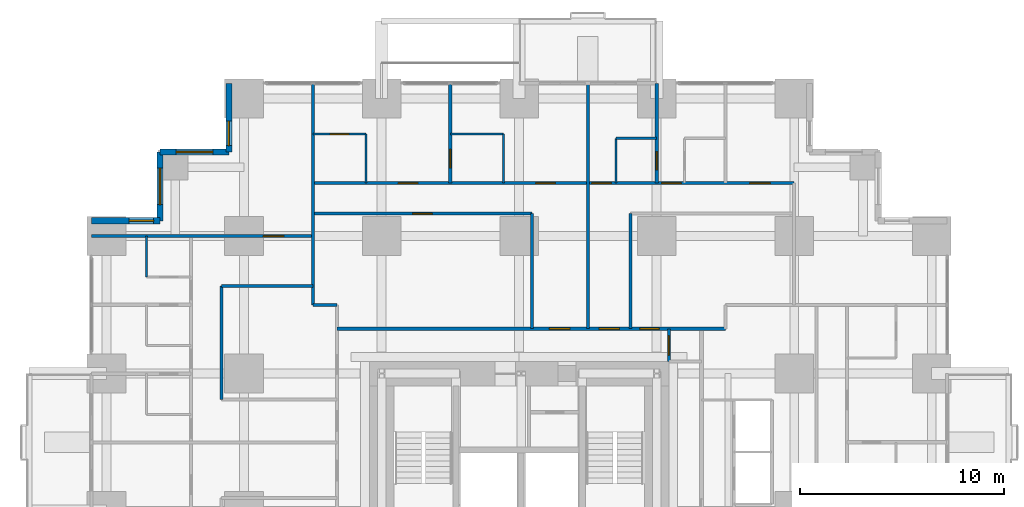
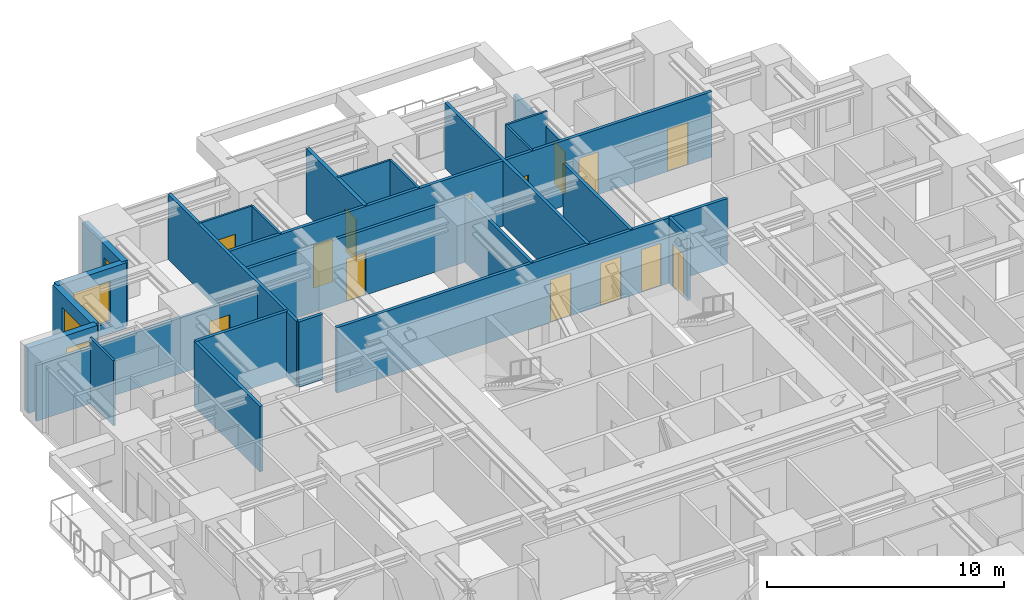
# One storey, part 12 of 14: 25 walls, 14 doors, 4 windows, 18 openings.
"""IFC4 building model written with IfcOpenShell, lengths in metres."""

from ifc_helpers import new_model, si_unit, direction, frame, frame_2d, origin, place, context, subcontext, project, spatial, rectangle, extrude, material, layer, layer_set, type_object, element, fill, save


model = new_model("IFC4")

# Units and contexts
model_context = context("Model", 3, precision=1e-05, world=origin(), true_north=direction((0.0, 1.0)))
body_context = subcontext(model_context, "Body", "Model", "MODEL_VIEW")
ifc_project = project(units=[si_unit("LENGTHUNIT", "METRE"), si_unit("AREAUNIT", "SQUARE_METRE"), si_unit("VOLUMEUNIT", "CUBIC_METRE"), si_unit("PLANEANGLEUNIT", "RADIAN"), si_unit("MASSUNIT", "GRAM", prefix="KILO")], contexts=[model_context])

# Site, building, storey
site_placement = place(None, origin())
site = spatial("IfcSite", under=ifc_project, at=site_placement, CompositionType="ELEMENT")
building_placement = place(site_placement, origin())
building = spatial("IfcBuilding", under=site, at=building_placement, Name="Nyansa Garden Tower", CompositionType="ELEMENT")
storey_placement = place(building_placement, frame((0.0, 0.0, 43.199951171875)))
storey = spatial("IfcBuildingStorey", under=building, at=storey_placement, Name="L11", CompositionType="ELEMENT", Elevation=43.199951171875)

# Wall, opening, door
ifc_material_1 = material(Name="Dense blockwork, plastered both sides, 55 dB", Category="masonry")
ifc_layer_1 = layer(ifc_material_1, 0.175048828125)
ifc_layer_set_1 = layer_set([ifc_layer_1], Name="Acoustic party wall PW175")
wall_type_1 = type_object("IfcWallType", Name="Acoustic party wall PW175", PredefinedType="PARTITIONING", material=ifc_layer_set_1)
wall_1_placement = place(storey_placement, frame((16.875, 36.35009765625, 0.0), z_axis=(0.0, 0.0, 1.0), x_axis=(0.0, 1.0, 0.0)))
wall_1 = element("IfcWall", 1, at=wall_1_placement, inside=storey, type_object=wall_type_1, Name="Party wall", PredefinedType="PARTITIONING", context=body_context, shape_type="SweptSolid", body=[
    extrude(rectangle(XDim=4.8837890625, YDim=0.175048828125, at=frame_2d((2.44189453125, 0.0))), origin(), (0.0, 0.0, 1.0), 3.375),
])
opening_1_placement = place(wall_1_placement, frame((0.75, 0.0, 0.0)))
opening_1 = element("IfcOpeningElement", 2, at=opening_1_placement, cuts=wall_1, Name="Opening D02", PredefinedType="OPENING", context=body_context, shape_type="SweptSolid", body=[
    extrude(rectangle(XDim=0.89990234375, YDim=2.199951171875, at=frame_2d((0.449951171875, 1.10009765625))), frame((0.0, 0.097412109375, 0.0), z_axis=(0.0, -1.0, 0.0), x_axis=(1.0, 0.0, 0.0)), (0.0, 0.0, 1.0), 0.195068359375),
])
ifc_material_2 = material(Name="Timber flush door", Category="wood")
door_type_1 = type_object("IfcDoorType", Name="En-suite door D02 900x2200", OperationType="SINGLE_SWING_RIGHT", PredefinedType="DOOR", material=ifc_material_2)
door_1_placement = place(opening_1_placement, origin())
door_1 = element("IfcDoor", 3, at=door_1_placement, inside=storey, type_object=door_type_1, Name="Door L11-057", OperationType="SINGLE_SWING_RIGHT", OverallHeight=2.199951171875, OverallWidth=0.89990234375, PredefinedType="DOOR", context=body_context, shape_type="SweptSolid", body=[
    extrude(rectangle(XDim=0.89990234375, YDim=2.199951171875, at=frame_2d((0.449951171875, 1.10009765625))), frame((0.0, 0.02490234375, 0.0), z_axis=(0.0, -1.0, 0.0), x_axis=(1.0, 0.0, 0.0)), (0.0, 0.0, 1.0), 0.050048828125),
])
fill(opening_1, door_1)

wall_2_placement = place(storey_placement, frame((27.0, 36.35009765625, 0.0), z_axis=(0.0, 0.0, 1.0), x_axis=(0.0, 1.0, 0.0)))
wall_2 = element("IfcWall", 4, at=wall_2_placement, inside=storey, type_object=wall_type_1, Name="Party wall", PredefinedType="PARTITIONING", context=body_context, shape_type="SweptSolid", body=[
    extrude(rectangle(XDim=4.8837890625, YDim=0.175048828125, at=frame_2d((2.44189453125, 0.0))), origin(), (0.0, 0.0, 1.0), 2.610107421875),
])
opening_2_placement = place(wall_2_placement, frame((0.64990234375, 0.0, 0.0)))
opening_2 = element("IfcOpeningElement", 5, at=opening_2_placement, cuts=wall_2, Name="Opening D02", PredefinedType="OPENING", context=body_context, shape_type="SweptSolid", body=[
    extrude(rectangle(XDim=0.89990234375, YDim=2.199951171875, at=frame_2d((0.449951171875, 1.10009765625))), frame((0.0, 0.097412109375, 0.0), z_axis=(0.0, -1.0, 0.0), x_axis=(1.0, 0.0, 0.0)), (0.0, 0.0, 1.0), 0.195068359375),
])
door_2_placement = place(opening_2_placement, origin())
door_2 = element("IfcDoor", 6, at=door_2_placement, inside=storey, type_object=door_type_1, Name="Door L11-052", OperationType="SINGLE_SWING_RIGHT", OverallHeight=2.199951171875, OverallWidth=0.89990234375, PredefinedType="DOOR", context=body_context, shape_type="SweptSolid", body=[
    extrude(rectangle(XDim=0.89990234375, YDim=2.199951171875, at=frame_2d((0.449951171875, 1.10009765625))), frame((0.0, 0.02490234375, 0.0), z_axis=(0.0, -1.0, 0.0), x_axis=(1.0, 0.0, 0.0)), (0.0, 0.0, 1.0), 0.050048828125),
])
fill(opening_2, door_2)

ifc_material_3 = material(Name="Blockwork, plastered both sides", Category="masonry")
ifc_layer_2 = layer(ifc_material_3, 0.14990234375)
ifc_layer_set_2 = layer_set([ifc_layer_2], Name="Partition PW150")
wall_type_2 = type_object("IfcWallType", Name="Partition PW150", PredefinedType="PARTITIONING", material=ifc_layer_set_2)
wall_3_placement = place(storey_placement, frame((-0.73388671875, 33.75, 0.0), z_axis=(0.0, 0.0, 1.0), x_axis=(1.0, 0.0, 0.0)))
wall_3 = element("IfcWall", 7, at=wall_3_placement, inside=storey, type_object=wall_type_2, Name="Partition", PredefinedType="PARTITIONING", context=body_context, shape_type="SweptSolid", body=[
    extrude(rectangle(XDim=10.85888671875, YDim=0.14990234375, at=frame_2d((5.429443359375, 0.0))), origin(), (0.0, 0.0, 1.0), 2.876953125),
])
opening_3_placement = place(wall_3_placement, frame((8.43408203125, 0.0, 0.0)))
opening_3 = element("IfcOpeningElement", 8, at=opening_3_placement, cuts=wall_3, Name="Opening D03", PredefinedType="OPENING", context=body_context, shape_type="SweptSolid", body=[
    extrude(rectangle(XDim=1.0, YDim=2.199951171875, at=frame_2d((0.5, 1.10009765625))), frame((0.0, 0.0849609375, 0.0), z_axis=(0.0, -1.0, 0.0), x_axis=(1.0, 0.0, 0.0)), (0.0, 0.0, 1.0), 0.169921875),
])
ifc_material_4 = material(Name="Timber flush door, 60 minute fire resisting", Category="wood")
door_type_2 = type_object("IfcDoorType", Name="Cluster entrance door D03 1000x2200", OperationType="SINGLE_SWING_LEFT", PredefinedType="DOOR", material=ifc_material_4)
door_3_placement = place(opening_3_placement, origin())
door_3 = element("IfcDoor", 9, at=door_3_placement, inside=storey, type_object=door_type_2, Name="Door L11-061", OperationType="SINGLE_SWING_LEFT", OverallHeight=2.199951171875, OverallWidth=1.0, PredefinedType="DOOR", context=body_context, shape_type="SweptSolid", body=[
    extrude(rectangle(XDim=1.0, YDim=2.199951171875, at=frame_2d((0.5, 1.10009765625))), frame((0.0, 0.02490234375, 0.0), z_axis=(0.0, -1.0, 0.0), x_axis=(1.0, 0.0, 0.0)), (0.0, 0.0, 1.0), 0.050048828125),
])
fill(opening_3, door_3)

# Walls
wall_4_placement = place(storey_placement, frame((5.64990234375, 25.72509765625, 0.0), z_axis=(0.0, 0.0, 1.0), x_axis=(0.0, 1.0, 0.0)))
element("IfcWall", 10, at=wall_4_placement, inside=storey, type_object=wall_type_2, Name="Partition", PredefinedType="PARTITIONING", context=body_context, shape_type="SweptSolid", body=[
    extrude(rectangle(XDim=5.574951171875, YDim=0.14990234375, at=frame_2d((2.78759765625, 0.0))), origin(), (0.0, 0.0, 1.0), 3.375),
])
wall_5_placement = place(storey_placement, frame((5.64990234375, 31.300048828125, 0.0), z_axis=(0.0, 0.0, 1.0), x_axis=(1.0, 0.0, 0.0)))
element("IfcWall", 11, at=wall_5_placement, inside=storey, type_object=wall_type_2, Name="Partition", PredefinedType="PARTITIONING", context=body_context, shape_type="SweptSolid", body=[
    extrude(rectangle(XDim=4.47509765625, YDim=0.14990234375, at=frame_2d((2.237548828125, 0.0))), origin(), (0.0, 0.0, 1.0), 3.375),
])
wall_6_placement = place(storey_placement, frame((10.125, 30.375, 0.0), z_axis=(0.0, 0.0, 1.0), x_axis=(0.0, 1.0, 0.0)))
element("IfcWall", 12, at=wall_6_placement, inside=storey, type_object=wall_type_2, Name="Partition", PredefinedType="PARTITIONING", context=body_context, shape_type="SweptSolid", body=[
    extrude(rectangle(XDim=10.85888671875, YDim=0.14990234375, at=frame_2d((5.429443359375, 0.0))), origin(), (0.0, 0.0, 1.0), 3.375),
])
wall_7_placement = place(storey_placement, frame((10.125, 30.375, 0.0), z_axis=(0.0, 0.0, 1.0), x_axis=(1.0, 0.0, 0.0)))
element("IfcWall", 13, at=wall_7_placement, inside=storey, type_object=wall_type_2, Name="Partition", PredefinedType="PARTITIONING", context=body_context, shape_type="SweptSolid", body=[
    extrude(rectangle(XDim=1.175048828125, YDim=0.14990234375, at=frame_2d((0.58740234375, 0.0))), origin(), (0.0, 0.0, 1.0), 3.375),
])

# Wall, opening, door
wall_8_placement = place(storey_placement, frame((10.125, 34.85009765625, 0.0), z_axis=(0.0, 0.0, 1.0), x_axis=(1.0, 0.0, 0.0)))
wall_8 = element("IfcWall", 14, at=wall_8_placement, inside=storey, type_object=wall_type_2, Name="Partition", PredefinedType="PARTITIONING", context=body_context, shape_type="SweptSolid", body=[
    extrude(rectangle(XDim=10.762451171875, YDim=0.14990234375, at=frame_2d((5.38134765625, 0.0))), origin(), (0.0, 0.0, 1.0), 3.375),
])
opening_4_placement = place(wall_8_placement, frame((4.89990234375, 0.0, 0.0)))
opening_4 = element("IfcOpeningElement", 15, at=opening_4_placement, cuts=wall_8, Name="Opening D01", PredefinedType="OPENING", context=body_context, shape_type="SweptSolid", body=[
    extrude(rectangle(XDim=0.949951171875, YDim=2.199951171875, at=frame_2d((0.47509765625, 1.10009765625))), frame((0.0, 0.0849609375, 0.0), z_axis=(0.0, -1.0, 0.0), x_axis=(1.0, 0.0, 0.0)), (0.0, 0.0, 1.0), 0.169921875),
])
ifc_material_5 = material(Name="Timber flush door, 30 minute fire resisting", Category="wood")
door_type_3 = type_object("IfcDoorType", Name="Bedroom door D01 950x2200", OperationType="SINGLE_SWING_LEFT", PredefinedType="DOOR", material=ifc_material_5)
door_4_placement = place(opening_4_placement, origin())
door_4 = element("IfcDoor", 16, at=door_4_placement, inside=storey, type_object=door_type_3, Name="Door L11-060", OperationType="SINGLE_SWING_LEFT", OverallHeight=2.199951171875, OverallWidth=0.949951171875, PredefinedType="DOOR", context=body_context, shape_type="SweptSolid", body=[
    extrude(rectangle(XDim=0.949951171875, YDim=2.199951171875, at=frame_2d((0.47509765625, 1.10009765625))), frame((0.0, 0.02490234375, 0.0), z_axis=(0.0, -1.0, 0.0), x_axis=(1.0, 0.0, 0.0)), (0.0, 0.0, 1.0), 0.050048828125),
])
fill(opening_4, door_4)

# Wall, openings, doors
wall_9_placement = place(storey_placement, frame((10.125, 36.35009765625, 0.0), z_axis=(0.0, 0.0, 1.0), x_axis=(1.0, 0.0, 0.0)))
wall_9 = element("IfcWall", 17, at=wall_9_placement, inside=storey, type_object=wall_type_2, Name="Partition", PredefinedType="PARTITIONING", context=body_context, shape_type="SweptSolid", body=[
    extrude(rectangle(XDim=23.625, YDim=0.14990234375, at=frame_2d((11.8125, 0.0))), origin(), (0.0, 0.0, 1.0), 3.375),
])
opening_5_placement = place(wall_9_placement, frame((21.449951171875, 0.0, 0.0)))
opening_5 = element("IfcOpeningElement", 18, at=opening_5_placement, cuts=wall_9, Name="Opening D03", PredefinedType="OPENING", context=body_context, shape_type="SweptSolid", body=[
    extrude(rectangle(XDim=1.0, YDim=2.199951171875, at=frame_2d((0.5, 1.10009765625))), frame((0.0, 0.0849609375, 0.0), z_axis=(0.0, -1.0, 0.0), x_axis=(1.0, 0.0, 0.0)), (0.0, 0.0, 1.0), 0.169921875),
])
opening_6_placement = place(wall_9_placement, frame((17.125, 0.0, 0.0)))
opening_6 = element("IfcOpeningElement", 19, at=opening_6_placement, cuts=wall_9, Name="Opening D01", PredefinedType="OPENING", context=body_context, shape_type="SweptSolid", body=[
    extrude(rectangle(XDim=0.949951171875, YDim=2.199951171875, at=frame_2d((0.47509765625, 1.10009765625))), frame((0.0, 0.0849609375, 0.0), z_axis=(0.0, -1.0, 0.0), x_axis=(1.0, 0.0, 0.0)), (0.0, 0.0, 1.0), 0.169921875),
])
opening_7_placement = place(wall_9_placement, frame((13.699951171875, 0.0, 0.0)))
opening_7 = element("IfcOpeningElement", 20, at=opening_7_placement, cuts=wall_9, Name="Opening D01", PredefinedType="OPENING", context=body_context, shape_type="SweptSolid", body=[
    extrude(rectangle(XDim=0.949951171875, YDim=2.199951171875, at=frame_2d((0.47509765625, 1.10009765625))), frame((0.0, 0.0849609375, 0.0), z_axis=(0.0, -1.0, 0.0), x_axis=(1.0, 0.0, 0.0)), (0.0, 0.0, 1.0), 0.169921875),
])
opening_8_placement = place(wall_9_placement, frame((4.199951171875, 0.0, 0.0)))
opening_8 = element("IfcOpeningElement", 21, at=opening_8_placement, cuts=wall_9, Name="Opening D14", PredefinedType="OPENING", context=body_context, shape_type="SweptSolid", body=[
    extrude(rectangle(XDim=0.949951171875, YDim=2.199951171875, at=frame_2d((0.47509765625, 1.10009765625))), frame((0.0, 0.0849609375, 0.0), z_axis=(0.0, -1.0, 0.0), x_axis=(1.0, 0.0, 0.0)), (0.0, 0.0, 1.0), 0.169921875),
])
opening_9_placement = place(wall_9_placement, frame((10.949951171875, 0.0, 0.0)))
opening_9 = element("IfcOpeningElement", 22, at=opening_9_placement, cuts=wall_9, Name="Opening D14", PredefinedType="OPENING", context=body_context, shape_type="SweptSolid", body=[
    extrude(rectangle(XDim=0.949951171875, YDim=2.199951171875, at=frame_2d((0.47509765625, 1.10009765625))), frame((0.0, 0.0849609375, 0.0), z_axis=(0.0, -1.0, 0.0), x_axis=(1.0, 0.0, 0.0)), (0.0, 0.0, 1.0), 0.169921875),
])
door_5_placement = place(opening_6_placement, origin())
door_5 = element("IfcDoor", 23, at=door_5_placement, inside=storey, type_object=door_type_3, Name="Door L11-049", OperationType="SINGLE_SWING_LEFT", OverallHeight=2.199951171875, OverallWidth=0.949951171875, PredefinedType="DOOR", context=body_context, shape_type="SweptSolid", body=[
    extrude(rectangle(XDim=0.949951171875, YDim=2.199951171875, at=frame_2d((0.47509765625, 1.10009765625))), frame((0.0, 0.02490234375, 0.0), z_axis=(0.0, -1.0, 0.0), x_axis=(1.0, 0.0, 0.0)), (0.0, 0.0, 1.0), 0.050048828125),
])
fill(opening_6, door_5)
door_6_placement = place(opening_7_placement, origin())
door_6 = element("IfcDoor", 24, at=door_6_placement, inside=storey, type_object=door_type_3, Name="Door L11-051", OperationType="SINGLE_SWING_LEFT", OverallHeight=2.199951171875, OverallWidth=0.949951171875, PredefinedType="DOOR", context=body_context, shape_type="SweptSolid", body=[
    extrude(rectangle(XDim=0.949951171875, YDim=2.199951171875, at=frame_2d((0.47509765625, 1.10009765625))), frame((0.0, 0.02490234375, 0.0), z_axis=(0.0, -1.0, 0.0), x_axis=(1.0, 0.0, 0.0)), (0.0, 0.0, 1.0), 0.050048828125),
])
fill(opening_7, door_6)
door_7_placement = place(opening_5_placement, origin())
door_7 = element("IfcDoor", 25, at=door_7_placement, inside=storey, type_object=door_type_2, Name="Door L11-048", OperationType="SINGLE_SWING_LEFT", OverallHeight=2.199951171875, OverallWidth=1.0, PredefinedType="DOOR", context=body_context, shape_type="SweptSolid", body=[
    extrude(rectangle(XDim=1.0, YDim=2.199951171875, at=frame_2d((0.5, 1.10009765625))), frame((0.0, 0.02490234375, 0.0), z_axis=(0.0, -1.0, 0.0), x_axis=(1.0, 0.0, 0.0)), (0.0, 0.0, 1.0), 0.050048828125),
])
fill(opening_5, door_7)
ifc_material_6 = material(Name="Timber flush door, 60 minute fire resisting, self-closing", Category="wood")
door_type_4 = type_object("IfcDoorType", Name="Studio entrance door D14 950x2200", OperationType="SINGLE_SWING_LEFT", PredefinedType="DOOR", material=ifc_material_6)
door_8_placement = place(opening_8_placement, origin())
door_8 = element("IfcDoor", 26, at=door_8_placement, inside=storey, type_object=door_type_4, Name="Door L11-054", OperationType="SINGLE_SWING_LEFT", OverallHeight=2.199951171875, OverallWidth=0.949951171875, PredefinedType="DOOR", context=body_context, shape_type="SweptSolid", body=[
    extrude(rectangle(XDim=0.949951171875, YDim=2.199951171875, at=frame_2d((0.47509765625, 1.10009765625))), frame((0.0, 0.02490234375, 0.0), z_axis=(0.0, -1.0, 0.0), x_axis=(1.0, 0.0, 0.0)), (0.0, 0.0, 1.0), 0.050048828125),
])
fill(opening_8, door_8)
door_9_placement = place(opening_9_placement, origin())
door_9 = element("IfcDoor", 27, at=door_9_placement, inside=storey, type_object=door_type_4, Name="Door L11-056", OperationType="SINGLE_SWING_LEFT", OverallHeight=2.199951171875, OverallWidth=0.949951171875, PredefinedType="DOOR", context=body_context, shape_type="SweptSolid", body=[
    extrude(rectangle(XDim=0.949951171875, YDim=2.199951171875, at=frame_2d((0.47509765625, 1.10009765625))), frame((0.0, 0.02490234375, 0.0), z_axis=(0.0, -1.0, 0.0), x_axis=(1.0, 0.0, 0.0)), (0.0, 0.0, 1.0), 0.050048828125),
])
fill(opening_9, door_9)

wall_10_placement = place(storey_placement, frame((11.300048828125, 29.199951171875, 0.0), z_axis=(0.0, 0.0, 1.0), x_axis=(1.0, 0.0, 0.0)))
wall_10 = element("IfcWall", 28, at=wall_10_placement, inside=storey, type_object=wall_type_2, Name="Partition", PredefinedType="PARTITIONING", context=body_context, shape_type="SweptSolid", body=[
    extrude(rectangle(XDim=19.074951171875, YDim=0.14990234375, at=frame_2d((9.53759765625, 0.0))), origin(), (0.0, 0.0, 1.0), 3.375),
])
opening_10_placement = place(wall_10_placement, frame((12.875, 0.0, 0.0)))
opening_10 = element("IfcOpeningElement", 29, at=opening_10_placement, cuts=wall_10, Name="Opening D03", PredefinedType="OPENING", context=body_context, shape_type="SweptSolid", body=[
    extrude(rectangle(XDim=1.0, YDim=2.199951171875, at=frame_2d((0.5, 1.10009765625))), frame((0.0, 0.0849609375, 0.0), z_axis=(0.0, -1.0, 0.0), x_axis=(1.0, 0.0, 0.0)), (0.0, 0.0, 1.0), 0.169921875),
])
opening_11_placement = place(wall_10_placement, frame((10.4375, 0.0, 0.0)))
opening_11 = element("IfcOpeningElement", 30, at=opening_11_placement, cuts=wall_10, Name="Opening D03", PredefinedType="OPENING", context=body_context, shape_type="SweptSolid", body=[
    extrude(rectangle(XDim=1.0, YDim=2.199951171875, at=frame_2d((0.5, 1.10009765625))), frame((0.0, 0.0849609375, 0.0), z_axis=(0.0, -1.0, 0.0), x_axis=(1.0, 0.0, 0.0)), (0.0, 0.0, 1.0), 0.169921875),
])
opening_12_placement = place(wall_10_placement, frame((14.875, 0.0, 0.0)))
opening_12 = element("IfcOpeningElement", 31, at=opening_12_placement, cuts=wall_10, Name="Opening D01", PredefinedType="OPENING", context=body_context, shape_type="SweptSolid", body=[
    extrude(rectangle(XDim=0.949951171875, YDim=2.199951171875, at=frame_2d((0.47509765625, 1.10009765625))), frame((0.0, 0.0849609375, 0.0), z_axis=(0.0, -1.0, 0.0), x_axis=(1.0, 0.0, 0.0)), (0.0, 0.0, 1.0), 0.169921875),
])
door_10_placement = place(opening_12_placement, origin())
door_10 = element("IfcDoor", 32, at=door_10_placement, inside=storey, type_object=door_type_3, Name="Door L11-059", OperationType="SINGLE_SWING_LEFT", OverallHeight=2.199951171875, OverallWidth=0.949951171875, PredefinedType="DOOR", context=body_context, shape_type="SweptSolid", body=[
    extrude(rectangle(XDim=0.949951171875, YDim=2.199951171875, at=frame_2d((0.47509765625, 1.10009765625))), frame((0.0, 0.02490234375, 0.0), z_axis=(0.0, -1.0, 0.0), x_axis=(1.0, 0.0, 0.0)), (0.0, 0.0, 1.0), 0.050048828125),
])
fill(opening_12, door_10)
door_11_placement = place(opening_10_placement, origin())
door_11 = element("IfcDoor", 33, at=door_11_placement, inside=storey, type_object=door_type_2, Name="Door L11-053", OperationType="SINGLE_SWING_LEFT", OverallHeight=2.199951171875, OverallWidth=1.0, PredefinedType="DOOR", context=body_context, shape_type="SweptSolid", body=[
    extrude(rectangle(XDim=1.0, YDim=2.199951171875, at=frame_2d((0.5, 1.10009765625))), frame((0.0, 0.02490234375, 0.0), z_axis=(0.0, -1.0, 0.0), x_axis=(1.0, 0.0, 0.0)), (0.0, 0.0, 1.0), 0.050048828125),
])
fill(opening_10, door_11)
door_12_placement = place(opening_11_placement, origin())
door_12 = element("IfcDoor", 34, at=door_12_placement, inside=storey, type_object=door_type_2, Name="Door L11-058", OperationType="SINGLE_SWING_LEFT", OverallHeight=2.199951171875, OverallWidth=1.0, PredefinedType="DOOR", context=body_context, shape_type="SweptSolid", body=[
    extrude(rectangle(XDim=1.0, YDim=2.199951171875, at=frame_2d((0.5, 1.10009765625))), frame((0.0, 0.02490234375, 0.0), z_axis=(0.0, -1.0, 0.0), x_axis=(1.0, 0.0, 0.0)), (0.0, 0.0, 1.0), 0.050048828125),
])
fill(opening_11, door_12)

# Walls
wall_11_placement = place(storey_placement, frame((20.886962890625, 29.199951171875, 0.0), z_axis=(0.0, 0.0, 1.0), x_axis=(0.0, 1.0, 0.0)))
element("IfcWall", 35, at=wall_11_placement, inside=storey, type_object=wall_type_2, Name="Partition", PredefinedType="PARTITIONING", context=body_context, shape_type="SweptSolid", body=[
    extrude(rectangle(XDim=5.650146484375, YDim=0.14990234375, at=frame_2d((2.8251953125, 0.0))), origin(), (0.0, 0.0, 1.0), 3.375),
])
wall_12_placement = place(storey_placement, frame((23.625, 29.199951171875, 0.0), z_axis=(0.0, 0.0, 1.0), x_axis=(0.0, 1.0, 0.0)))
element("IfcWall", 36, at=wall_12_placement, inside=storey, type_object=wall_type_2, Name="Partition", PredefinedType="PARTITIONING", context=body_context, shape_type="SweptSolid", body=[
    extrude(rectangle(XDim=12.033935546875, YDim=0.14990234375, at=frame_2d((6.01708984375, 0.0))), origin(), (0.0, 0.0, 1.0), 3.375),
])
wall_13_placement = place(storey_placement, frame((25.72509765625, 29.199951171875, 0.0), z_axis=(0.0, 0.0, 1.0), x_axis=(0.0, 1.0, 0.0)))
element("IfcWall", 37, at=wall_13_placement, inside=storey, type_object=wall_type_2, Name="Partition", PredefinedType="PARTITIONING", context=body_context, shape_type="SweptSolid", body=[
    extrude(rectangle(XDim=5.650146484375, YDim=0.14990234375, at=frame_2d((2.8251953125, 0.0))), origin(), (0.0, 0.0, 1.0), 3.375),
])

# Wall, opening, door
wall_14_placement = place(storey_placement, frame((27.60009765625, 27.60009765625, 0.0), z_axis=(0.0, 0.0, 1.0), x_axis=(0.0, 1.0, 0.0)))
wall_14 = element("IfcWall", 38, at=wall_14_placement, inside=storey, type_object=wall_type_2, Name="Partition", PredefinedType="PARTITIONING", context=body_context, shape_type="SweptSolid", body=[
    extrude(rectangle(XDim=1.599853515625, YDim=0.14990234375, at=frame_2d((0.7998046875, 0.0))), origin(), (0.0, 0.0, 1.0), 3.375),
])
opening_13_placement = place(wall_14_placement, frame((0.300048828125, 0.0, 0.0)))
opening_13 = element("IfcOpeningElement", 39, at=opening_13_placement, cuts=wall_14, Name="Opening D01", PredefinedType="OPENING", context=body_context, shape_type="SweptSolid", body=[
    extrude(rectangle(XDim=0.949951171875, YDim=2.199951171875, at=frame_2d((0.47509765625, 1.10009765625))), frame((0.0, 0.0849609375, 0.0), z_axis=(0.0, -1.0, 0.0), x_axis=(1.0, 0.0, 0.0)), (0.0, 0.0, 1.0), 0.169921875),
])
door_13_placement = place(opening_13_placement, origin())
door_13 = element("IfcDoor", 40, at=door_13_placement, inside=storey, type_object=door_type_3, Name="Door L11-018", OperationType="SINGLE_SWING_LEFT", OverallHeight=2.199951171875, OverallWidth=0.949951171875, PredefinedType="DOOR", context=body_context, shape_type="SweptSolid", body=[
    extrude(rectangle(XDim=0.949951171875, YDim=2.199951171875, at=frame_2d((0.47509765625, 1.10009765625))), frame((0.0, 0.02490234375, 0.0), z_axis=(0.0, -1.0, 0.0), x_axis=(1.0, 0.0, 0.0)), (0.0, 0.0, 1.0), 0.050048828125),
])
fill(opening_13, door_13)

# Wall, opening, window
ifc_material_7 = material(Name="Turquoise glazed tile on concrete blockwork", Category="masonry")
ifc_layer_3 = layer(ifc_material_7, 0.300048828125)
ifc_layer_set_3 = layer_set([ifc_layer_3], Name="Tiled corner wall TW300")
wall_type_3 = type_object("IfcWallType", Name="Tiled corner wall TW300", PredefinedType="SOLIDWALL", material=ifc_layer_set_3)
wall_15_placement = place(storey_placement, frame((6.0, 41.25, 0.0), z_axis=(0.0, 0.0, 1.0), x_axis=(0.0, -1.0, 0.0)))
wall_15 = element("IfcWall", 41, at=wall_15_placement, inside=storey, type_object=wall_type_3, Name="Tiled corner wall L11", PredefinedType="SOLIDWALL", context=body_context, shape_type="SweptSolid", body=[
    extrude(rectangle(XDim=3.375, YDim=0.300048828125, at=frame_2d((1.6875, 0.0))), origin(), (0.0, 0.0, 1.0), 3.375),
])
opening_14_placement = place(wall_15_placement, frame((1.857421875, 0.0, 0.89990234375)))
opening_14 = element("IfcOpeningElement", 42, at=opening_14_placement, cuts=wall_15, Name="Opening W4", PredefinedType="OPENING", context=body_context, shape_type="SweptSolid", body=[
    extrude(rectangle(XDim=1.199951171875, YDim=1.800048828125, at=frame_2d((0.60009765625, 0.89990234375))), frame((0.0, 0.159912109375, 0.0), z_axis=(0.0, -1.0, 0.0), x_axis=(1.0, 0.0, 0.0)), (0.0, 0.0, 1.0), 0.320068359375),
])
ifc_material_8 = material(Name="Black aluminium frame, dark tinted double glazing", Category="aluminium")
window_type_1 = type_object("IfcWindowType", Name="Window W4 1200x1800", PartitioningType="SINGLE_PANEL", PredefinedType="WINDOW", material=ifc_material_8)
window_1_placement = place(opening_14_placement, origin())
window_1 = element("IfcWindow", 43, at=window_1_placement, inside=storey, type_object=window_type_1, Name="Corner window L11", OverallHeight=1.800048828125, OverallWidth=1.199951171875, PartitioningType="SINGLE_PANEL", PredefinedType="WINDOW", context=body_context, shape_type="SweptSolid", body=[
    extrude(rectangle(XDim=1.199951171875, YDim=1.800048828125, at=frame_2d((0.60009765625, 0.89990234375))), frame((0.0, 0.030029296875, 0.0), z_axis=(0.0, -1.0, 0.0), x_axis=(1.0, 0.0, 0.0)), (0.0, 0.0, 1.0), 0.06005859375),
])
fill(opening_14, window_1)

wall_16_placement = place(storey_placement, frame((6.0, 37.875, 0.0), z_axis=(0.0, 0.0, 1.0), x_axis=(-1.0, 0.0, 0.0)))
wall_16 = element("IfcWall", 44, at=wall_16_placement, inside=storey, type_object=wall_type_3, Name="Tiled corner wall L11", PredefinedType="SOLIDWALL", context=body_context, shape_type="SweptSolid", body=[
    extrude(rectangle(XDim=3.375, YDim=0.300048828125, at=frame_2d((1.6875, 0.0))), origin(), (0.0, 0.0, 1.0), 3.375),
])
opening_15_placement = place(wall_16_placement, frame((0.78759765625, 0.0, 0.60009765625)))
opening_15 = element("IfcOpeningElement", 45, at=opening_15_placement, cuts=wall_16, Name="Opening W2", PredefinedType="OPENING", context=body_context, shape_type="SweptSolid", body=[
    extrude(rectangle(XDim=1.800048828125, YDim=2.10009765625, at=frame_2d((0.89990234375, 1.050048828125))), frame((0.0, 0.159912109375, 0.0), z_axis=(0.0, -1.0, 0.0), x_axis=(1.0, 0.0, 0.0)), (0.0, 0.0, 1.0), 0.320068359375),
])
ifc_material_9 = material(Name="Black aluminium frame, dark tinted double glazing", Category="aluminium")
window_type_2 = type_object("IfcWindowType", Name="Window W2 1800x2100", PartitioningType="SINGLE_PANEL", PredefinedType="WINDOW", material=ifc_material_9)
window_2_placement = place(opening_15_placement, origin())
window_2 = element("IfcWindow", 46, at=window_2_placement, inside=storey, type_object=window_type_2, Name="Corner window L11", OverallHeight=2.10009765625, OverallWidth=1.800048828125, PartitioningType="SINGLE_PANEL", PredefinedType="WINDOW", context=body_context, shape_type="SweptSolid", body=[
    extrude(rectangle(XDim=1.800048828125, YDim=2.10009765625, at=frame_2d((0.89990234375, 1.050048828125))), frame((0.0, 0.030029296875, 0.0), z_axis=(0.0, -1.0, 0.0), x_axis=(1.0, 0.0, 0.0)), (0.0, 0.0, 1.0), 0.06005859375),
])
fill(opening_15, window_2)

wall_17_placement = place(storey_placement, frame((2.625, 37.875, 0.0), z_axis=(0.0, 0.0, 1.0), x_axis=(0.0, -1.0, 0.0)))
wall_17 = element("IfcWall", 47, at=wall_17_placement, inside=storey, type_object=wall_type_3, Name="Tiled corner wall L11", PredefinedType="SOLIDWALL", context=body_context, shape_type="SweptSolid", body=[
    extrude(rectangle(XDim=3.375, YDim=0.300048828125, at=frame_2d((1.6875, 0.0))), origin(), (0.0, 0.0, 1.0), 3.375),
])
opening_16_placement = place(wall_17_placement, frame((0.78759765625, 0.0, 0.60009765625)))
opening_16 = element("IfcOpeningElement", 48, at=opening_16_placement, cuts=wall_17, Name="Opening W2", PredefinedType="OPENING", context=body_context, shape_type="SweptSolid", body=[
    extrude(rectangle(XDim=1.800048828125, YDim=2.10009765625, at=frame_2d((0.89990234375, 1.050048828125))), frame((0.0, 0.159912109375, 0.0), z_axis=(0.0, -1.0, 0.0), x_axis=(1.0, 0.0, 0.0)), (0.0, 0.0, 1.0), 0.320068359375),
])
window_3_placement = place(opening_16_placement, origin())
window_3 = element("IfcWindow", 49, at=window_3_placement, inside=storey, type_object=window_type_2, Name="Corner window L11", OverallHeight=2.10009765625, OverallWidth=1.800048828125, PartitioningType="SINGLE_PANEL", PredefinedType="WINDOW", context=body_context, shape_type="SweptSolid", body=[
    extrude(rectangle(XDim=1.800048828125, YDim=2.10009765625, at=frame_2d((0.89990234375, 1.050048828125))), frame((0.0, 0.030029296875, 0.0), z_axis=(0.0, -1.0, 0.0), x_axis=(1.0, 0.0, 0.0)), (0.0, 0.0, 1.0), 0.06005859375),
])
fill(opening_16, window_3)

wall_18_placement = place(storey_placement, frame((2.625, 34.5, 0.0), z_axis=(0.0, 0.0, 1.0), x_axis=(-1.0, 0.0, 0.0)))
wall_18 = element("IfcWall", 50, at=wall_18_placement, inside=storey, type_object=wall_type_3, Name="Tiled corner wall L11", PredefinedType="SOLIDWALL", context=body_context, shape_type="SweptSolid", body=[
    extrude(rectangle(XDim=3.375, YDim=0.300048828125, at=frame_2d((1.6875, 0.0))), origin(), (0.0, 0.0, 1.0), 3.375),
])
opening_17_placement = place(wall_18_placement, frame((0.3173828125, 0.0, 0.89990234375)))
opening_17 = element("IfcOpeningElement", 51, at=opening_17_placement, cuts=wall_18, Name="Opening W4", PredefinedType="OPENING", context=body_context, shape_type="SweptSolid", body=[
    extrude(rectangle(XDim=1.199951171875, YDim=1.800048828125, at=frame_2d((0.60009765625, 0.89990234375))), frame((0.0, 0.159912109375, 0.0), z_axis=(0.0, -1.0, 0.0), x_axis=(1.0, 0.0, 0.0)), (0.0, 0.0, 1.0), 0.320068359375),
])
window_4_placement = place(opening_17_placement, origin())
window_4 = element("IfcWindow", 52, at=window_4_placement, inside=storey, type_object=window_type_1, Name="Corner window L11", OverallHeight=1.800048828125, OverallWidth=1.199951171875, PartitioningType="SINGLE_PANEL", PredefinedType="WINDOW", context=body_context, shape_type="SweptSolid", body=[
    extrude(rectangle(XDim=1.199951171875, YDim=1.800048828125, at=frame_2d((0.60009765625, 0.89990234375))), frame((0.0, 0.030029296875, 0.0), z_axis=(0.0, -1.0, 0.0), x_axis=(1.0, 0.0, 0.0)), (0.0, 0.0, 1.0), 0.06005859375),
])
fill(opening_17, window_4)

# Wall
ifc_material_10 = material(Name="Moisture resistant board on steel studs, tiled", Category="steel")
ifc_layer_4 = layer(ifc_material_10, 0.10009765625)
ifc_layer_set_4 = layer_set([ifc_layer_4], Name="Wet wall PW100")
wall_type_4 = type_object("IfcWallType", Name="Wet wall PW100", PredefinedType="PARTITIONING", material=ifc_layer_set_4)
wall_19_placement = place(storey_placement, frame((1.949951171875, 31.75, 0.0), z_axis=(0.0, 0.0, 1.0), x_axis=(0.0, 1.0, 0.0)))
element("IfcWall", 53, at=wall_19_placement, inside=storey, type_object=wall_type_4, Name="Wet wall", PredefinedType="PARTITIONING", context=body_context, shape_type="SweptSolid", body=[
    extrude(rectangle(XDim=2.0, YDim=0.10009765625, at=frame_2d((1.0, 0.0))), origin(), (0.0, 0.0, 1.0), 3.375),
])

# Wall, opening, door
wall_20_placement = place(storey_placement, frame((10.125, 38.75, 0.0), z_axis=(0.0, 0.0, 1.0), x_axis=(1.0, 0.0, 0.0)))
wall_20 = element("IfcWall", 54, at=wall_20_placement, inside=storey, type_object=wall_type_4, Name="Wet wall", PredefinedType="PARTITIONING", context=body_context, shape_type="SweptSolid", body=[
    extrude(rectangle(XDim=2.60009765625, YDim=0.10009765625, at=frame_2d((1.300048828125, 0.0))), origin(), (0.0, 0.0, 1.0), 3.375),
])
opening_18_placement = place(wall_20_placement, frame((0.85009765625, 0.0, 0.0)))
opening_18 = element("IfcOpeningElement", 55, at=opening_18_placement, cuts=wall_20, Name="Opening D02", PredefinedType="OPENING", context=body_context, shape_type="SweptSolid", body=[
    extrude(rectangle(XDim=0.89990234375, YDim=2.199951171875, at=frame_2d((0.449951171875, 1.10009765625))), frame((0.0, 0.06005859375, 0.0), z_axis=(0.0, -1.0, 0.0), x_axis=(1.0, 0.0, 0.0)), (0.0, 0.0, 1.0), 0.1201171875),
])
door_14_placement = place(opening_18_placement, origin())
door_14 = element("IfcDoor", 56, at=door_14_placement, inside=storey, type_object=door_type_1, Name="Door L11-055", OperationType="SINGLE_SWING_RIGHT", OverallHeight=2.199951171875, OverallWidth=0.89990234375, PredefinedType="DOOR", context=body_context, shape_type="SweptSolid", body=[
    extrude(rectangle(XDim=0.89990234375, YDim=2.199951171875, at=frame_2d((0.449951171875, 1.10009765625))), frame((0.0, 0.02490234375, 0.0), z_axis=(0.0, -1.0, 0.0), x_axis=(1.0, 0.0, 0.0)), (0.0, 0.0, 1.0), 0.050048828125),
])
fill(opening_18, door_14)

# Walls
wall_21_placement = place(storey_placement, frame((12.72509765625, 36.35009765625, 0.0), z_axis=(0.0, 0.0, 1.0), x_axis=(0.0, 1.0, 0.0)))
element("IfcWall", 57, at=wall_21_placement, inside=storey, type_object=wall_type_4, Name="Wet wall", PredefinedType="PARTITIONING", context=body_context, shape_type="SweptSolid", body=[
    extrude(rectangle(XDim=2.39990234375, YDim=0.10009765625, at=frame_2d((1.199951171875, 0.0))), origin(), (0.0, 0.0, 1.0), 3.375),
])
wall_22_placement = place(storey_placement, frame((16.875, 38.75, 0.0), z_axis=(0.0, 0.0, 1.0), x_axis=(1.0, 0.0, 0.0)))
element("IfcWall", 58, at=wall_22_placement, inside=storey, type_object=wall_type_4, Name="Wet wall", PredefinedType="PARTITIONING", context=body_context, shape_type="SweptSolid", body=[
    extrude(rectangle(XDim=2.60009765625, YDim=0.10009765625, at=frame_2d((1.300048828125, 0.0))), origin(), (0.0, 0.0, 1.0), 3.375),
])
wall_23_placement = place(storey_placement, frame((19.47509765625, 36.35009765625, 0.0), z_axis=(0.0, 0.0, 1.0), x_axis=(0.0, 1.0, 0.0)))
element("IfcWall", 59, at=wall_23_placement, inside=storey, type_object=wall_type_4, Name="Wet wall", PredefinedType="PARTITIONING", context=body_context, shape_type="SweptSolid", body=[
    extrude(rectangle(XDim=2.39990234375, YDim=0.10009765625, at=frame_2d((1.199951171875, 0.0))), origin(), (0.0, 0.0, 1.0), 3.375),
])
wall_24_placement = place(storey_placement, frame((25.0, 36.35009765625, 0.0), z_axis=(0.0, 0.0, 1.0), x_axis=(0.0, 1.0, 0.0)))
element("IfcWall", 60, at=wall_24_placement, inside=storey, type_object=wall_type_4, Name="Wet wall", PredefinedType="PARTITIONING", context=body_context, shape_type="SweptSolid", body=[
    extrude(rectangle(XDim=2.199951171875, YDim=0.10009765625, at=frame_2d((1.10009765625, 0.0))), origin(), (0.0, 0.0, 1.0), 3.375),
])
wall_25_placement = place(storey_placement, frame((25.0, 38.550048828125, 0.0), z_axis=(0.0, 0.0, 1.0), x_axis=(1.0, 0.0, 0.0)))
element("IfcWall", 61, at=wall_25_placement, inside=storey, type_object=wall_type_4, Name="Wet wall", PredefinedType="PARTITIONING", context=body_context, shape_type="SweptSolid", body=[
    extrude(rectangle(XDim=2.0, YDim=0.10009765625, at=frame_2d((1.0, 0.0))), origin(), (0.0, 0.0, 1.0), 3.375),
])

save(model, "model.ifc")
